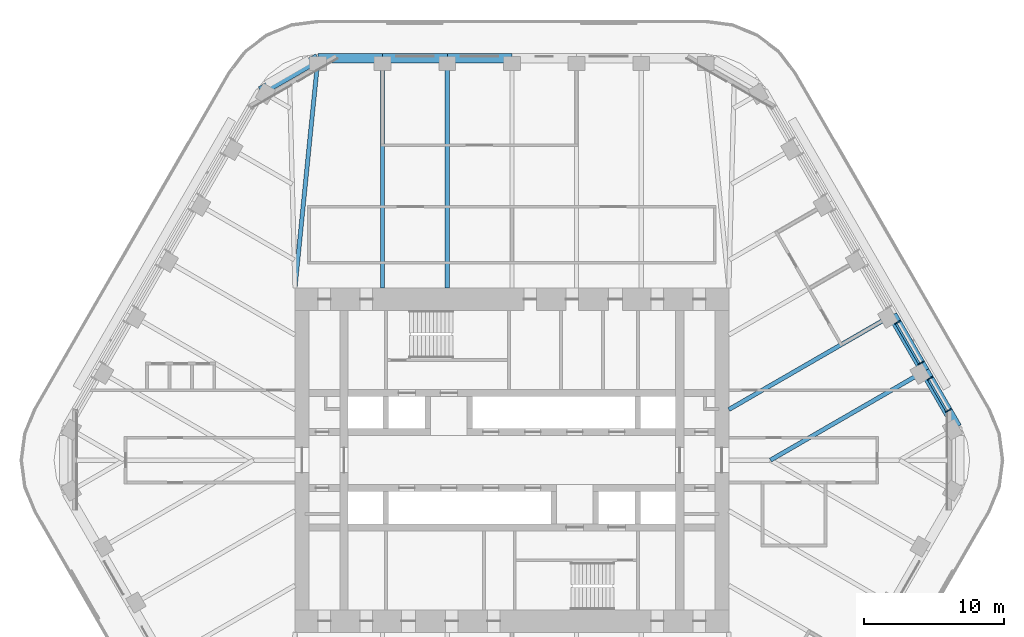
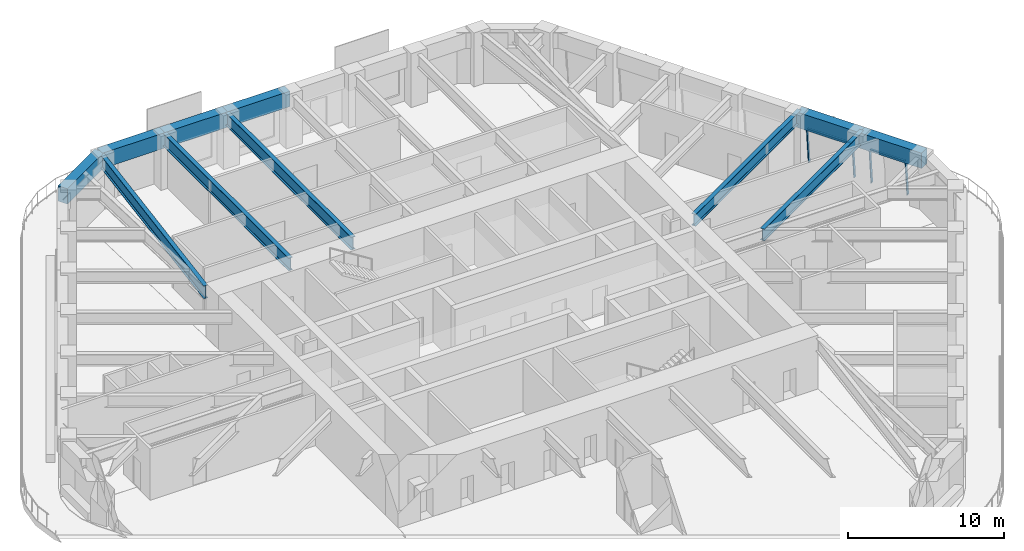
# One storey, part 9 of 20: 11 beams, 6 members, 2 elements without a shape of their own.
"""IFC4 building model written with IfcOpenShell, lengths in metres."""

from ifc_helpers import new_model, si_unit, direction, frame, origin, origin_2d, place, context, subcontext, project, spatial, rectangle, i_section, extrude, material, material_profile, profile_set, type_object, element, aggregate, save


model = new_model("IFC4")

# Units and contexts
model_context = context("Model", 3, precision=1e-05, world=origin(), true_north=direction((0.0, 1.0)))
body_context = subcontext(model_context, "Body", "Model", "MODEL_VIEW")
ifc_project = project(units=[si_unit("LENGTHUNIT", "METRE"), si_unit("AREAUNIT", "SQUARE_METRE"), si_unit("VOLUMEUNIT", "CUBIC_METRE"), si_unit("PLANEANGLEUNIT", "RADIAN"), si_unit("MASSUNIT", "GRAM", prefix="KILO")], contexts=[model_context])

# Site, building, storey
site_placement = place(None, origin())
site = spatial("IfcSite", under=ifc_project, at=site_placement, CompositionType="ELEMENT")
building_placement = place(site_placement, origin())
building = spatial("IfcBuilding", under=site, at=building_placement, Name="Tarfa Lantern Tower", CompositionType="ELEMENT")
storey_placement = place(building_placement, frame((0.0, 0.0, 274.300048828125)))
storey = spatial("IfcBuildingStorey", under=building, at=storey_placement, Name="L62", CompositionType="ELEMENT", Elevation=274.300048828125)

# Curtain wall, members
ifc_material_1 = material(Name="Aluminium framed curtain wall", Category="aluminium")
curtain_wall_type = type_object("IfcCurtainWallType", Name="CW3 CANTED GLAZING HIGH ZONE 2800", PredefinedType="USERDEFINED", material=ifc_material_1)
curtain_wall_1_placement = place(storey_placement, origin())
curtain_wall_1 = element("IfcCurtainWall", 1, at=curtain_wall_1_placement, inside=storey, type_object=curtain_wall_type, Name="CW3 NE L62", ObjectType="CURTAIN WALL", PredefinedType="USERDEFINED")
ifc_material_2 = material(Name="Aluminium mullion", Category="aluminium")
ifc_material_profile_1 = material_profile(ifc_material_2, rectangle(XDim=0.06494140625, YDim=0.199951171875, at=origin_2d()), Name="AL MULLION 65x200")
ifc_profile_set_1 = profile_set([ifc_material_profile_1], Name="Aluminium mullion")
member_type_1 = type_object("IfcMemberType", Name="CWM1 MULLION 65x200", PredefinedType="MULLION", material=ifc_profile_set_1)
member_1_placement = place(storey_placement, frame((31.2900390625, 3.60400390625, 0.0), z_axis=(-0.077032386753, -0.044465143199, 0.996036576854), x_axis=(0.499919672301, -0.866071776036, 0.0)))
member_1 = element("IfcMember", 2, at=member_1_placement, type_object=member_type_1, Name="CW3 mullion 1", PredefinedType="MULLION", context=body_context, shape_type="SweptSolid", body=[
    extrude(rectangle(XDim=0.06494140625, YDim=0.199951171875, at=origin_2d()), origin(), (0.0, 0.0, 1.0), 2.811279296875),
])
member_2_placement = place(storey_placement, frame((29.963134765625, 5.90234375, 0.0), z_axis=(-0.077032386753, -0.044465143199, 0.996036576854), x_axis=(0.499919672301, -0.866071776036, 0.0)))
member_2 = element("IfcMember", 3, at=member_2_placement, type_object=member_type_1, Name="CW3 mullion 2", PredefinedType="MULLION", context=body_context, shape_type="SweptSolid", body=[
    extrude(rectangle(XDim=0.06494140625, YDim=0.199951171875, at=origin_2d()), origin(), (0.0, 0.0, 1.0), 2.811279296875),
])

curtain_wall_2_placement = place(storey_placement, origin())
curtain_wall_2 = element("IfcCurtainWall", 4, at=curtain_wall_2_placement, inside=storey, type_object=curtain_wall_type, Name="CW3 NE L62", ObjectType="CURTAIN WALL", PredefinedType="USERDEFINED")
member_3_placement = place(storey_placement, frame((29.33056640625, 6.997802734375, 0.0), z_axis=(-0.076946055247, -0.044465440504, 0.996043236603), x_axis=(0.500342721131, -0.865827443207, 0.0)))
member_3 = element("IfcMember", 5, at=member_3_placement, type_object=member_type_1, Name="CW3 mullion 1", PredefinedType="MULLION", context=body_context, shape_type="SweptSolid", body=[
    extrude(rectangle(XDim=0.06494140625, YDim=0.199951171875, at=origin_2d()), origin(), (0.0, 0.0, 1.0), 2.811279296875),
])
member_4_placement = place(storey_placement, frame((27.65380859375, 9.90234375, 0.0), z_axis=(-0.077032386753, -0.044465143199, 0.996036576854), x_axis=(0.499919672301, -0.866071776036, 0.0)))
member_4 = element("IfcMember", 6, at=member_4_placement, type_object=member_type_1, Name="CW3 mullion 2", PredefinedType="MULLION", context=body_context, shape_type="SweptSolid", body=[
    extrude(rectangle(XDim=0.06494140625, YDim=0.199951171875, at=origin_2d()), origin(), (0.0, 0.0, 1.0), 2.811279296875),
])

# Member
ifc_material_3 = material(Name="Aluminium transom", Category="aluminium")
ifc_material_profile_2 = material_profile(ifc_material_3, rectangle(XDim=0.14990234375, YDim=0.06494140625, at=origin_2d()), Name="AL TRANSOM 150x65")
ifc_profile_set_2 = profile_set([ifc_material_profile_2], Name="Aluminium transom")
member_type_2 = type_object("IfcMemberType", Name="CWT1 TRANSOM 150x65", PredefinedType="USERDEFINED", material=ifc_profile_set_2)
member_5_placement = place(storey_placement, frame((31.059814453125, 3.508544921875, 2.767333984375), z_axis=(-0.5000136139, 0.866017543653, 0.0), x_axis=(-0.866017543653, -0.5000136139, 0.0)))
member_5 = element("IfcMember", 7, at=member_5_placement, type_object=member_type_2, Name="CW3 transom 1.2", ObjectType="TRANSOM", PredefinedType="USERDEFINED", context=body_context, shape_type="SweptSolid", body=[
    extrude(rectangle(XDim=0.14990234375, YDim=0.06494140625, at=origin_2d()), origin(), (0.0, 0.0, 1.0), 2.5888671875),
])

aggregate(curtain_wall_1, [member_1, member_2, member_5])

member_6_placement = place(storey_placement, frame((29.100341796875, 6.90234375, 2.767333984375), z_axis=(-0.499979497339, 0.866037240677, 0.0), x_axis=(-0.866037240677, -0.499979497339, 0.0)))
member_6 = element("IfcMember", 8, at=member_6_placement, type_object=member_type_2, Name="CW3 transom 1.2", ObjectType="TRANSOM", PredefinedType="USERDEFINED", context=body_context, shape_type="SweptSolid", body=[
    extrude(rectangle(XDim=0.14990234375, YDim=0.06494140625, at=origin_2d()), origin(), (0.0, 0.0, 1.0), 3.288818359375),
])

aggregate(curtain_wall_2, [member_3, member_4, member_6])

# Beams
ifc_material_4 = material(Name="Concrete C80/95", Category="concrete")
ifc_material_profile_3 = material_profile(ifc_material_4, rectangle(XDim=0.699951171875, YDim=1.199951171875, at=origin_2d()), Name="RC 700x1200")
ifc_profile_set_3 = profile_set([ifc_material_profile_3], Name="Concrete C80/95")
beam_type_1 = type_object("IfcBeamType", Name="EB3 RC 700x1200", PredefinedType="SPANDREL", material=ifc_profile_set_3)
beam_1_placement = place(storey_placement, frame((31.800537109375, 2.360107421875, 3.39990234375), z_axis=(-0.500027479704, 0.866009537788, 0.0), x_axis=(-0.866009537788, -0.500027479704, 0.0)))
element("IfcBeam", 9, at=beam_1_placement, inside=storey, type_object=beam_type_1, Name="Edge beam NE0", PredefinedType="SPANDREL", context=body_context, shape_type="SweptSolid", body=[
    extrude(rectangle(XDim=0.699951171875, YDim=1.199951171875, at=origin_2d()), origin(), (0.0, 0.0, 1.0), 4.618896484375),
])
beam_2_placement = place(storey_placement, frame((29.490966796875, 6.360107421875, 3.39990234375), z_axis=(-0.499987836815, 0.866032426089, 0.0), x_axis=(-0.866032426089, -0.499987836815, 0.0)))
element("IfcBeam", 10, at=beam_2_placement, inside=storey, type_object=beam_type_1, Name="Edge beam NE1", PredefinedType="SPANDREL", context=body_context, shape_type="SweptSolid", body=[
    extrude(rectangle(XDim=0.699951171875, YDim=1.199951171875, at=origin_2d()), origin(), (0.0, 0.0, 1.0), 4.61865234375),
])
beam_3_placement = place(storey_placement, frame((0.0, 28.719970703125, 3.39990234375), z_axis=(-1.0, 0.0, 0.0), x_axis=(0.0, -1.0, 0.0)))
element("IfcBeam", 11, at=beam_3_placement, inside=storey, type_object=beam_type_1, Name="Edge beam N3", PredefinedType="SPANDREL", context=body_context, shape_type="SweptSolid", body=[
    extrude(rectangle(XDim=0.699951171875, YDim=1.199951171875, at=origin_2d()), origin(), (0.0, 0.0, 1.0), 4.618896484375),
])
beam_4_placement = place(storey_placement, frame((-4.618896484375, 28.719970703125, 3.39990234375), z_axis=(-1.0, 0.0, 0.0), x_axis=(0.0, -1.0, 0.0)))
element("IfcBeam", 12, at=beam_4_placement, inside=storey, type_object=beam_type_1, Name="Edge beam N4", PredefinedType="SPANDREL", context=body_context, shape_type="SweptSolid", body=[
    extrude(rectangle(XDim=0.699951171875, YDim=1.199951171875, at=origin_2d()), origin(), (0.0, 0.0, 1.0), 4.61865234375),
])
beam_5_placement = place(storey_placement, frame((-9.237548828125, 28.719970703125, 3.39990234375), z_axis=(-1.0, 0.0, 0.0), x_axis=(0.0, -1.0, 0.0)))
element("IfcBeam", 13, at=beam_5_placement, inside=storey, type_object=beam_type_1, Name="Edge beam N5", PredefinedType="SPANDREL", context=body_context, shape_type="SweptSolid", body=[
    extrude(rectangle(XDim=0.699951171875, YDim=1.199951171875, at=origin_2d()), origin(), (0.0, 0.0, 1.0), 4.618896484375),
])
beam_6_placement = place(storey_placement, frame((-13.8564453125, 28.719970703125, 3.39990234375), z_axis=(-0.866038294681, -0.499977671647, 0.0), x_axis=(0.499977671647, -0.866038294681, 0.0)))
element("IfcBeam", 14, at=beam_6_placement, inside=storey, type_object=beam_type_1, Name="Edge beam N6", PredefinedType="SPANDREL", context=body_context, shape_type="SweptSolid", body=[
    extrude(rectangle(XDim=0.699951171875, YDim=1.199951171875, at=origin_2d()), origin(), (0.0, 0.0, 1.0), 4.719970703125),
])
ifc_material_5 = material(Name="Steel S460M", Category="steel")
ifc_material_profile_4 = material_profile(ifc_material_5, i_section(OverallWidth=0.302001953125, OverallDepth=1.008056640625, WebThickness=0.02099609375, FlangeThickness=0.0400390625, FilletRadius=0.030029296875, at=origin_2d()), Name="UB1016x305x349")
ifc_profile_set_4 = profile_set([ifc_material_profile_4], Name="Steel S460M")
beam_type_2 = type_object("IfcBeamType", Name="UB1016x305x349", PredefinedType="BEAM", material=ifc_profile_set_4)
for number, where, z_axis, x_axis, name in (
    (15, (-4.618896484375, 28.719970703125, 3.495849609375), (0.0, -1.0, 0.0), (1.0, 0.0, 0.0), "Floor beam N4"),
    (16, (-9.237548828125, 28.719970703125, 3.495849609375), (0.0, -1.0, 0.0), (1.0, 0.0, 0.0), "Floor beam N5"),
):
    element("IfcBeam", number, at=place(storey_placement, frame(where, z_axis=z_axis, x_axis=x_axis)), inside=storey, type_object=beam_type_2, Name=name, PredefinedType="BEAM", context=body_context, shape_type="SweptSolid", body=[
        extrude(i_section(OverallWidth=0.302001953125, OverallDepth=1.008056640625, WebThickness=0.02099609375, FlangeThickness=0.0400390625, FilletRadius=0.030029296875, at=origin_2d()), origin(), (0.0, 0.0, 1.0), 16.419921875),
    ])
beam_7_placement = place(storey_placement, frame((-13.8564453125, 28.719970703125, 3.495849609375), z_axis=(-0.099597466746, -0.995027810977, 0.0), x_axis=(0.995027810977, -0.099597466746, 0.0)))
element("IfcBeam", 17, at=beam_7_placement, inside=storey, type_object=beam_type_2, Name="Floor beam N6", PredefinedType="BEAM", context=body_context, shape_type="SweptSolid", body=[
    extrude(i_section(OverallWidth=0.302001953125, OverallDepth=1.008056640625, WebThickness=0.02099609375, FlangeThickness=0.0400390625, FilletRadius=0.030029296875, at=origin_2d()), origin(), (0.0, 0.0, 1.0), 16.501953125),
])
ifc_material_profile_5 = material_profile(ifc_material_5, i_section(OverallWidth=0.305419921875, OverallDepth=0.91845703125, WebThickness=0.017333984375, FlangeThickness=0.02783203125, FilletRadius=0.01904296875, at=origin_2d()), Name="UB914x305x253")
ifc_profile_set_5 = profile_set([ifc_material_profile_5], Name="Steel S460M")
beam_type_3 = type_object("IfcBeamType", Name="UB914x305x253", PredefinedType="BEAM", material=ifc_profile_set_5)
beam_8_placement = place(storey_placement, frame((29.490966796875, 6.360107421875, 3.540771484375), z_axis=(-0.866022258038, -0.500005448553, 0.0), x_axis=(0.500005448553, -0.866022258038, 0.0)))
element("IfcBeam", 18, at=beam_8_placement, inside=storey, type_object=beam_type_3, Name="Floor beam NE1", PredefinedType="BEAM", context=body_context, shape_type="SweptSolid", body=[
    extrude(i_section(OverallWidth=0.305419921875, OverallDepth=0.91845703125, WebThickness=0.017333984375, FlangeThickness=0.02783203125, FilletRadius=0.01904296875, at=origin_2d()), origin(), (0.0, 0.0, 1.0), 12.719970703125),
])
beam_9_placement = place(storey_placement, frame((27.181640625, 10.360107421875, 3.540771484375), z_axis=(-0.866018002818, -0.500012818631, 0.0), x_axis=(0.500012818631, -0.866018002818, 0.0)))
element("IfcBeam", 19, at=beam_9_placement, inside=storey, type_object=beam_type_3, Name="Floor beam NE2", PredefinedType="BEAM", context=body_context, shape_type="SweptSolid", body=[
    extrude(i_section(OverallWidth=0.305419921875, OverallDepth=0.91845703125, WebThickness=0.017333984375, FlangeThickness=0.02783203125, FilletRadius=0.01904296875, at=origin_2d()), origin(), (0.0, 0.0, 1.0), 13.489013671875),
])

save(model, "model.ifc")
